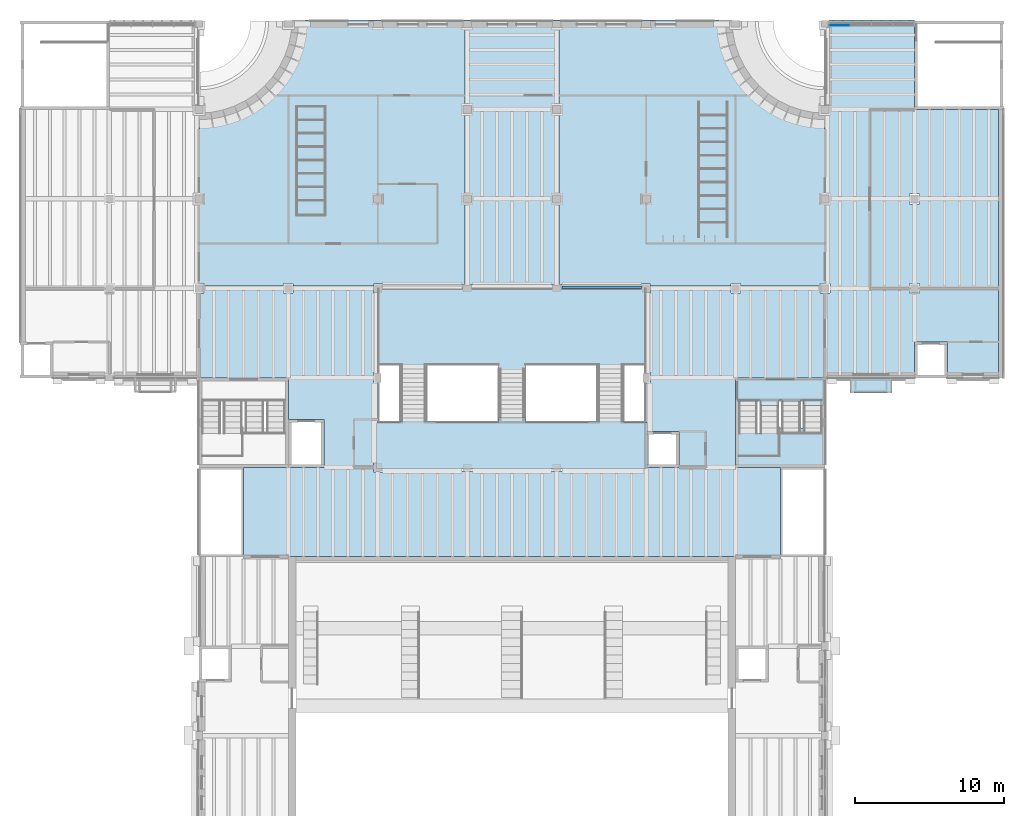
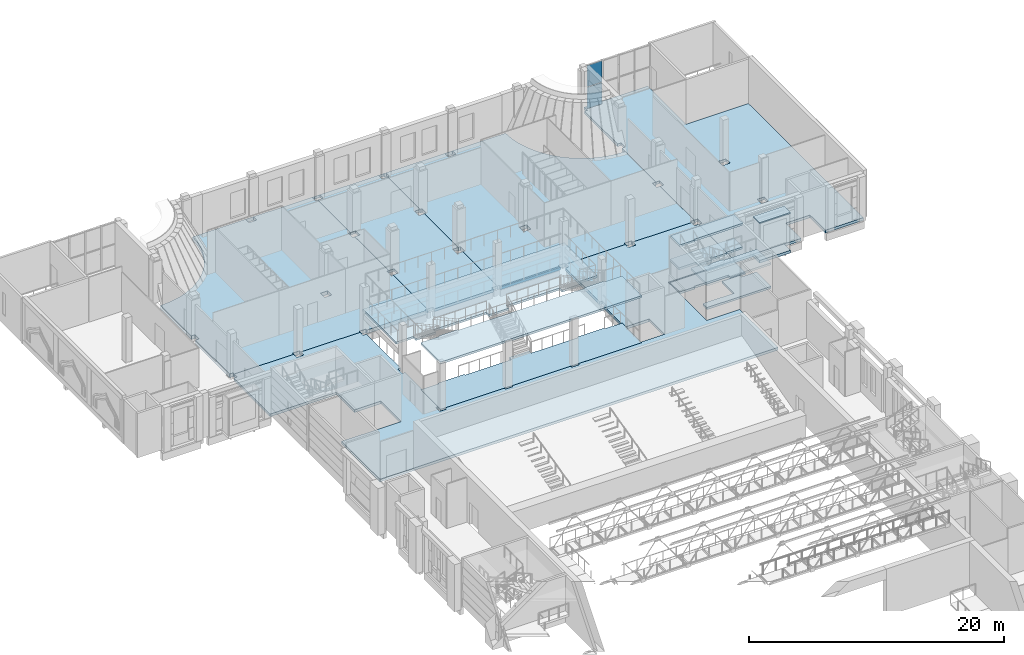
# One storey, part 22 of 70: 15 slabs, 3 plates, 3 elements without a shape of their own.
"""IFC4 building model written with IfcOpenShell, lengths in metres."""

import ifcopenshell
import ifcopenshell.guid

model = None  # the IFC model being written
_history = None  # IfcOwnerHistory: only IFC2X3 demands one
_inside = {}  # id of a spatial element -> (the spatial element, [elements in it])
_under = {}  # id of a project, library or spatial element -> (it, [spatial elements below it])
_declared = {}  # id of a project -> (the project, [libraries it declares])
_typed = {}  # id of a type object -> (the type object, [elements of that type])
_made_of = {}  # id of a material, layer set ... -> (it, [elements and type objects made of it])


def new_model(schema):
    """Start an empty IFC model of exactly this schema.

    Asked for "IFC4X3", IfcOpenShell would pick the latest addendum, in which some entities
    have other attributes; the version numbers below select the first issue.
    IFC2X3 requires an IfcOwnerHistory on every rooted entity: one is made here for all.
    """
    global model, _history
    if schema == "IFC4X3":
        model = ifcopenshell.file(schema_version=(4, 3, 0, 0))
    else:
        model = ifcopenshell.file(schema=schema)
    _inside.clear()
    _under.clear()
    _declared.clear()
    _typed.clear()
    _made_of.clear()
    _history = None
    if model.schema == "IFC2X3":
        org = make("IfcOrganization", Name="unknown")
        user = make(
            "IfcPersonAndOrganization",
            ThePerson=make("IfcPerson", FamilyName="unknown"),
            TheOrganization=org,
        )
        app = make(
            "IfcApplication",
            ApplicationDeveloper=org,
            Version="unknown",
            ApplicationFullName="unknown",
            ApplicationIdentifier="unknown",
        )
        _history = make(
            "IfcOwnerHistory",
            OwningUser=user,
            OwningApplication=app,
            ChangeAction="ADDED",
            CreationDate=0,
        )
    return model


def make(cls, **values):
    """One entity of the class cls with the attributes given. An attribute that is None is left unset."""
    return model.create_entity(
        cls, **{name: value for name, value in values.items() if value is not None}
    )


def rooted(cls, **values):
    """An entity with a GlobalId (a new one), such as an element, a storey or a relation."""
    return make(cls, GlobalId=ifcopenshell.guid.new(), OwnerHistory=_history, **values)


def si_unit(unit_type, name, prefix=None):
    """IfcSIUnit, for example si_unit("LENGTHUNIT", "METRE", prefix="MILLI")."""
    return make("IfcSIUnit", UnitType=unit_type, Prefix=prefix, Name=name)


def assignment(units):
    """IfcUnitAssignment: the units of a project."""
    return None if units is None else make("IfcUnitAssignment", Units=units)


def point(xyz):
    """IfcCartesianPoint."""
    return None if xyz is None else make("IfcCartesianPoint", Coordinates=xyz)


def direction(xyz):
    """IfcDirection."""
    return None if xyz is None else make("IfcDirection", DirectionRatios=xyz)


def frame(location, z_axis=None, x_axis=None):
    """IfcAxis2Placement3D, a coordinate frame: its origin and axes. An axis left out is left unset."""
    return make(
        "IfcAxis2Placement3D",
        Location=point(location),
        Axis=direction(z_axis),
        RefDirection=direction(x_axis),
    )


def frame_2d(location, x_axis=None):
    """IfcAxis2Placement2D, a coordinate frame in the plane: its origin and x axis."""
    return make(
        "IfcAxis2Placement2D", Location=point(location), RefDirection=direction(x_axis)
    )


def origin():
    """The frame at (0, 0, 0) with its axes left unset."""
    return frame((0.0, 0.0, 0.0))


def origin_2d():
    """The frame at (0, 0) in the plane with its x axis left unset."""
    return frame_2d((0.0, 0.0))


def place(relative_to, where):
    """IfcLocalPlacement: puts the frame where relative to a parent placement (None: the world)."""
    return make(
        "IfcLocalPlacement", PlacementRelTo=relative_to, RelativePlacement=where
    )


def context(
    kind, dimensions, precision=None, world=None, true_north=None, identifier=None
):
    """IfcGeometricRepresentationContext, for example the 3D "Model" context."""
    return make(
        "IfcGeometricRepresentationContext",
        ContextIdentifier=identifier,
        ContextType=kind,
        CoordinateSpaceDimension=dimensions,
        Precision=precision,
        WorldCoordinateSystem=world,
        TrueNorth=true_north,
    )


def subcontext(parent, identifier, kind, view, scale=None):
    """IfcGeometricRepresentationSubContext, for example "Body" below "Model"."""
    return make(
        "IfcGeometricRepresentationSubContext",
        ContextIdentifier=identifier,
        ContextType=kind,
        ParentContext=parent,
        TargetScale=scale,
        TargetView=view,
    )


def project(units=None, contexts=None):
    """IfcProject with its units and contexts."""
    return rooted(
        "IfcProject",
        Name="project",
        RepresentationContexts=contexts,
        UnitsInContext=assignment(units),
    )


def spatial(cls, under=None, at=None, **own):
    """A site, building, storey or space (cls), placed at a placement, below another one or the project."""
    s = rooted(cls, ObjectPlacement=at, **own)
    if under is not None:
        _under.setdefault(under.id(), (under, []))[1].append(s)
    return s


def polyline(points):
    """IfcPolyline through the points."""
    return make("IfcPolyline", Points=[point(p) for p in points])


def profile(cls, at=None, kind="AREA", **sizes):
    """A parametric profile (cls). Its sizes go by their IFC names, for example OverallWidth=200.0."""
    return make(cls, ProfileType=kind, Position=at, **sizes)


def rectangle(**sizes):
    """IfcRectangleProfileDef."""
    return profile("IfcRectangleProfileDef", **sizes)


def outline(outer, holes=None, kind="AREA"):
    """IfcArbitraryClosedProfileDef: a profile drawn as a closed curve; with holes, ...WithVoids."""
    if holes is None:
        return make("IfcArbitraryClosedProfileDef", ProfileType=kind, OuterCurve=outer)
    return make(
        "IfcArbitraryProfileDefWithVoids",
        ProfileType=kind,
        OuterCurve=outer,
        InnerCurves=holes,
    )


def extrude(swept, where, along, depth):
    """IfcExtrudedAreaSolid: the profile swept, set in the frame where, extruded along a direction by depth."""
    return make(
        "IfcExtrudedAreaSolid",
        SweptArea=swept,
        Position=where,
        ExtrudedDirection=direction(along),
        Depth=depth,
    )


def shape(context_of_items, identifier, shape_type, items):
    """IfcShapeRepresentation: the items that make up one representation, for example the "Body"."""
    return make(
        "IfcShapeRepresentation",
        ContextOfItems=context_of_items,
        RepresentationIdentifier=identifier,
        RepresentationType=shape_type,
        Items=items,
    )


def material(Name=None, Category=None):
    """IfcMaterial."""
    return make("IfcMaterial", Name=Name, Category=Category)


def layer(
    of_material, thickness, ventilated=None, Name=None, Category=None, Priority=None
):
    """IfcMaterialLayer: one layer of a wall or slab, of a material (None: an air gap)."""
    return make(
        "IfcMaterialLayer",
        Material=of_material,
        LayerThickness=thickness,
        IsVentilated=ventilated,
        Name=Name,
        Category=Category,
        Priority=Priority,
    )


def layer_set(layers, Name=None):
    """IfcMaterialLayerSet."""
    return make("IfcMaterialLayerSet", MaterialLayers=layers, LayerSetName=Name)


def made_of(thing, what):
    """Note that an element or type object is made of a material, layer set ...; save() writes the relation."""
    if what is not None:
        _made_of.setdefault(what.id(), (what, []))[1].append(thing)
    return thing


def type_object(cls, material=None, **own):
    """A type object (cls), such as IfcWallType, which elements share."""
    return made_of(rooted(cls, **own), material)


def element(
    cls,
    number,
    at=None,
    inside=None,
    cuts=None,
    type_object=None,
    material=None,
    context=None,
    identifier="Body",
    shape_type=None,
    held_by="IfcProductDefinitionShape",
    body=None,
    shapes=None,
    **own,
):
    """One element of the class cls, such as IfcWall. Its Tag is "e" and its number.

    at: its placement. inside: the storey or other place that contains it. cuts: it is an
    opening in that element (IfcRelVoidsElement). A single representation is given by context,
    identifier, shape_type and body (its items); several are given by shapes. held_by: the class
    of the entity that holds the representations. save() writes the other relations.
    """
    e = rooted(cls, Tag="e%d" % number, ObjectPlacement=at, **own)
    if body is not None:
        shapes = [shape(context, identifier, shape_type, body)]
    if shapes is not None:
        e.Representation = make(held_by, Representations=shapes)
    if inside is not None:
        _inside.setdefault(inside.id(), (inside, []))[1].append(e)
    if cuts is not None:
        rooted(
            "IfcRelVoidsElement", RelatingBuildingElement=cuts, RelatedOpeningElement=e
        )
    if type_object is not None:
        _typed.setdefault(type_object.id(), (type_object, []))[1].append(e)
    return made_of(e, material)


def aggregate(whole, parts):
    """IfcRelAggregates: a whole, such as a stair, and the parts it consists of."""
    return rooted("IfcRelAggregates", RelatingObject=whole, RelatedObjects=parts)


def save(model, path):
    """Write the relations noted so far, then the file.

    IfcRelAggregates (storeys below a building ...), IfcRelContainedInSpatialStructure (elements
    in a storey), IfcRelDefinesByType, IfcRelAssociatesMaterial and IfcRelDeclares: one each for
    every whole, place, type object, material and project.
    """
    for whole, parts in _under.values():
        aggregate(whole, parts)
    for where, things in _inside.values():
        rooted(
            "IfcRelContainedInSpatialStructure",
            RelatedElements=things,
            RelatingStructure=where,
        )
    for kind, things in _typed.values():
        rooted("IfcRelDefinesByType", RelatedObjects=things, RelatingType=kind)
    for what, things in _made_of.values():
        rooted("IfcRelAssociatesMaterial", RelatedObjects=things, RelatingMaterial=what)
    for by, libraries in _declared.values():
        rooted("IfcRelDeclares", RelatingContext=by, RelatedDefinitions=libraries)
    model.write(path)


model = new_model("IFC4")

# Units and contexts
model_context = context("Model", 3, precision=1e-05, world=origin(), true_north=direction((0.0, 1.0)))
body_context = subcontext(model_context, "Body", "Model", "MODEL_VIEW")
ifc_project = project(units=[si_unit("LENGTHUNIT", "METRE"), si_unit("AREAUNIT", "SQUARE_METRE"), si_unit("VOLUMEUNIT", "CUBIC_METRE"), si_unit("PLANEANGLEUNIT", "RADIAN"), si_unit("MASSUNIT", "GRAM", prefix="KILO")], contexts=[model_context])

# Site, building, storey
site_placement = place(None, origin())
site = spatial("IfcSite", under=ifc_project, at=site_placement, CompositionType="ELEMENT")
building_placement = place(site_placement, origin())
building = spatial("IfcBuilding", under=site, at=building_placement, Name="Saffron Lane Theatres", CompositionType="ELEMENT")
storey_placement = place(building_placement, frame((0.0, 0.0, 12.0)))
storey = spatial("IfcBuildingStorey", under=building, at=storey_placement, Name="L02", CompositionType="ELEMENT", Elevation=12.0)

# Plate
ifc_material_1 = material(Name="Zinc sheet", Category="metal")
ifc_layer_1 = layer(ifc_material_1, 0.1201171875)
ifc_layer_set_1 = layer_set([ifc_layer_1], Name="Zinc sheet")
plate_type_1 = type_object("IfcPlateType", Name="EX-CUMBA ROOF PANEL 120", PredefinedType="SHEET", material=ifc_layer_set_1)
plate_1_placement = place(storey_placement, frame((0.0, 0.0, 3.5)))
element("IfcPlate", 1, at=plate_1_placement, inside=storey, type_object=plate_type_1, Name="Cumba bay 4 roof", PredefinedType="SHEET", context=body_context, shape_type="SweptSolid", body=[
    extrude(outline(polyline([(58.47509765625, 102.0), (55.675048828125, 102.0), (55.675048828125, 101.0), (58.47509765625, 101.0), (58.47509765625, 102.0)])), origin(), (0.0, 0.0, 1.0), 0.1201171875),
])

# Slab
ifc_material_2 = material(Name="Concrete N40 (40 MPa)", Category="concrete")
ifc_layer_2 = layer(ifc_material_2, 0.25)
ifc_layer_set_2 = layer_set([ifc_layer_2], Name="Concrete N40 (40 MPa)")
slab_type_1 = type_object("IfcSlabType", Name="EX-CUMBA SLAB 250", PredefinedType="FLOOR", material=ifc_layer_set_2)
slab_1_placement = place(storey_placement, frame((0.0, 0.0, -0.25)))
element("IfcSlab", 2, at=slab_1_placement, inside=storey, type_object=slab_type_1, Name="Cumba bay 4 floor", PredefinedType="FLOOR", context=body_context, shape_type="SweptSolid", body=[
    extrude(outline(polyline([(58.47509765625, 102.0), (55.675048828125, 102.0), (55.675048828125, 101.0), (58.47509765625, 101.0), (58.47509765625, 102.0)])), origin(), (0.0, 0.0, 1.0), 0.25),
])

# Curtain wall, plates
ifc_material_3 = material(Name="Aluminium", Category="aluminium")
curtain_wall_type = type_object("IfcCurtainWallType", Name="EX-CURTAIN WALL 5770x4250x160", PredefinedType="NOTDEFINED", material=ifc_material_3)
curtain_wall_placement = place(storey_placement, origin())
curtain_wall = element("IfcCurtainWall", 3, at=curtain_wall_placement, inside=storey, type_object=curtain_wall_type, Name="Curtain wall L02 03", PredefinedType="NOTDEFINED")
ifc_material_4 = material(Name="Glass", Category="glass")
ifc_layer_3 = layer(ifc_material_4, 0.028076171875)
ifc_layer_set_3 = layer_set([ifc_layer_3], Name="Glass")
plate_type_2 = type_object("IfcPlateType", Name="EX-CW PANEL GLAZING 28", PredefinedType="CURTAIN_PANEL", material=ifc_layer_set_3)
plate_2_placement = place(storey_placement, frame((54.9619140625, 125.6298828125, 0.06005859375), z_axis=(0.0, 0.0, 1.0), x_axis=(1.0, 0.0, 0.0)))
plate_2 = element("IfcPlate", 4, at=plate_2_placement, type_object=plate_type_2, Name="CW-02-03 panel 1.1", PredefinedType="CURTAIN_PANEL", context=body_context, shape_type="SweptSolid", body=[
    extrude(rectangle(XDim=1.353759765625, YDim=0.028076171875, at=origin_2d()), origin(), (0.0, 0.0, 1.0), 2.034912109375),
])
plate_3_placement = place(storey_placement, frame((54.9619140625, 125.6298828125, 2.1552734375), z_axis=(0.0, 0.0, 1.0), x_axis=(1.0, 0.0, 0.0)))
plate_3 = element("IfcPlate", 5, at=plate_3_placement, type_object=plate_type_2, Name="CW-02-03 panel 1.2", PredefinedType="CURTAIN_PANEL", context=body_context, shape_type="SweptSolid", body=[
    extrude(rectangle(XDim=1.353759765625, YDim=0.028076171875, at=origin_2d()), origin(), (0.0, 0.0, 1.0), 2.034912109375),
])
aggregate(curtain_wall, [plate_2, plate_3])

# Slabs
ifc_material_5 = material(Name="Concrete N40 (40 MPa)", Category="concrete")
ifc_layer_4 = layer(ifc_material_5, 0.25)
ifc_layer_set_4 = layer_set([ifc_layer_4], Name="Concrete N40 (40 MPa)")
slab_type_2 = type_object("IfcSlabType", Name="RC-SLAB FLOOR 250", PredefinedType="FLOOR", material=ifc_layer_set_4)
slab_2_placement = place(storey_placement, frame((0.0, 0.0, -0.25)))
element("IfcSlab", 6, at=slab_2_placement, inside=storey, type_object=slab_type_2, Name="slab-L02-BRICK-1", PredefinedType="FLOOR", context=body_context, shape_type="SweptSolid", body=[
    extrude(outline(polyline([(18.5, 90.0), (47.5, 90.0), (48.0, 90.0), (51.0, 90.0), (51.0, 96.0), (48.0, 96.0), (48.0, 102.0), (54.0, 102.0), (54.0, 107.673095703125), (53.673095703125, 107.673095703125), (53.673095703125, 108.14990234375), (48.326904296875, 108.14990234375), (48.326904296875, 107.673095703125), (47.673095703125, 107.673095703125), (47.673095703125, 108.14990234375), (42.302001953125, 108.14990234375), (42.302001953125, 107.697998046875), (42.0, 107.697998046875), (42.0, 102.35205078125), (42.251953125, 102.35205078125), (42.251953125, 101.64794921875), (42.0, 101.64794921875), (42.0, 98.39990234375), (44.199951171875, 98.39990234375), (44.199951171875, 96.0), (42.0, 96.0), (36.35205078125, 96.0), (36.35205078125, 95.748046875), (35.64794921875, 95.748046875), (35.64794921875, 96.0), (30.35205078125, 96.0), (30.35205078125, 95.748046875), (29.64794921875, 95.748046875), (29.64794921875, 96.0), (24.302001953125, 96.0), (24.302001953125, 95.697998046875), (23.697998046875, 95.697998046875), (23.697998046875, 96.302001953125), (24.0, 96.302001953125), (24.0, 101.64794921875), (23.748046875, 101.64794921875), (23.748046875, 102.35205078125), (24.0, 102.35205078125), (24.0, 107.697998046875), (23.697998046875, 107.697998046875), (23.697998046875, 108.14990234375), (18.326904296875, 108.14990234375), (18.326904296875, 107.673095703125), (17.673095703125, 107.673095703125), (17.673095703125, 108.14990234375), (12.326904296875, 108.14990234375), (12.326904296875, 107.673095703125), (12.0, 107.673095703125), (12.0, 102.0), (18.0, 102.0), (18.0, 99.199951171875), (20.39990234375, 99.199951171875), (20.39990234375, 96.0), (18.0, 96.0), (15.0, 96.0), (15.0, 90.0), (18.0, 90.0), (18.5, 90.0)])), origin(), (0.0, 0.0, 1.0), 0.25),
])
slab_3_placement = place(storey_placement, frame((0.0, 0.0, -0.25)))
element("IfcSlab", 7, at=slab_3_placement, inside=storey, type_object=slab_type_2, Name="slab-L02-BRICK-3", PredefinedType="FLOOR", context=body_context, shape_type="SweptSolid", body=[
    extrude(outline(polyline([(36.14990234375, 125.9765625), (36.14990234375, 125.99951171875), (29.85009765625, 125.99951171875), (29.85009765625, 125.9765625), (30.35205078125, 125.9765625), (30.35205078125, 125.472412109375), (29.85009765625, 125.472412109375), (29.85009765625, 120.326904296875), (30.326904296875, 120.326904296875), (30.326904296875, 119.673095703125), (29.85009765625, 119.673095703125), (29.85009765625, 114.326904296875), (30.326904296875, 114.326904296875), (30.326904296875, 113.673095703125), (29.85009765625, 113.673095703125), (29.85009765625, 108.251953125), (30.35205078125, 108.251953125), (30.35205078125, 108.0), (35.64794921875, 108.0), (35.64794921875, 108.251953125), (36.14990234375, 108.251953125), (36.14990234375, 113.673095703125), (35.673095703125, 113.673095703125), (35.673095703125, 114.326904296875), (36.14990234375, 114.326904296875), (36.14990234375, 119.673095703125), (35.673095703125, 119.673095703125), (35.673095703125, 120.326904296875), (36.14990234375, 120.326904296875), (36.14990234375, 125.472412109375), (35.64794921875, 125.472412109375), (35.64794921875, 125.9765625), (36.14990234375, 125.9765625)])), origin(), (0.0, 0.0, 1.0), 0.25),
])
slab_4_placement = place(storey_placement, frame((0.0, 0.0, -0.25)))
element("IfcSlab", 8, at=slab_4_placement, inside=storey, type_object=slab_type_2, Name="slab-L02-BRICK-4", PredefinedType="FLOOR", context=body_context, shape_type="SweptSolid", body=[
    extrude(outline(polyline([(36.35205078125, 108.0), (41.697998046875, 108.0), (41.697998046875, 108.14990234375), (36.35205078125, 108.14990234375), (36.35205078125, 108.0)])), origin(), (0.0, 0.0, 1.0), 0.25),
])
slab_5_placement = place(storey_placement, frame((0.0, 0.0, -0.25)))
element("IfcSlab", 9, at=slab_5_placement, inside=storey, type_object=slab_type_2, Name="slab-L02-WING_E", PredefinedType="FLOOR", context=body_context, shape_type="SweptSolid", body=[
    extrude(outline(polyline([(60.0, 120.0), (60.0, 125.99951171875), (54.251953125, 125.99951171875), (54.251953125, 125.49755859375), (54.0, 125.49755859375), (54.0, 120.326904296875), (54.326904296875, 120.326904296875), (54.326904296875, 119.673095703125), (54.0, 119.673095703125), (54.0, 119.142578125), (54.0, 114.326904296875), (54.326904296875, 114.326904296875), (54.326904296875, 113.673095703125), (54.0, 113.673095703125), (54.0, 108.326904296875), (54.326904296875, 108.326904296875), (54.326904296875, 107.673095703125), (54.0, 107.673095703125), (54.0, 102.0), (60.0, 102.0), (60.0, 104.39990234375), (62.199951171875, 104.39990234375), (62.199951171875, 102.0), (65.639892578125, 102.0), (65.639892578125, 120.0), (60.0, 120.0)]), holes=[polyline([(60.326904296875, 107.673095703125), (59.673095703125, 107.673095703125), (59.673095703125, 108.326904296875), (60.326904296875, 108.326904296875), (60.326904296875, 107.673095703125)]), polyline([(60.326904296875, 113.673095703125), (59.673095703125, 113.673095703125), (59.673095703125, 114.326904296875), (60.326904296875, 114.326904296875), (60.326904296875, 113.673095703125)])]), origin(), (0.0, 0.0, 1.0), 0.25),
])
ifc_material_6 = material(Name="Concrete N40 (40 MPa)", Category="concrete")
ifc_layer_5 = layer(ifc_material_6, 0.35009765625)
ifc_layer_set_5 = layer_set([ifc_layer_5], Name="Concrete N40 (40 MPa)")
slab_type_3 = type_object("IfcSlabType", Name="RC-SLAB FLOOR 350", PredefinedType="FLOOR", material=ifc_layer_set_5)
slab_6_placement = place(storey_placement, frame((0.0, 0.0, -0.35009765625)))
element("IfcSlab", 10, at=slab_6_placement, inside=storey, type_object=slab_type_3, Name="slab-L02-BRICK-front-1", PredefinedType="FLOOR", context=body_context, shape_type="SweptSolid", body=[
    extrude(outline(polyline([(12.0, 108.326904296875), (12.326904296875, 108.326904296875), (12.326904296875, 108.14990234375), (17.673095703125, 108.14990234375), (17.673095703125, 108.326904296875), (18.326904296875, 108.326904296875), (18.326904296875, 108.14990234375), (23.697998046875, 108.14990234375), (23.697998046875, 108.302001953125), (24.302001953125, 108.302001953125), (24.302001953125, 108.14990234375), (29.64794921875, 108.14990234375), (29.64794921875, 108.251953125), (29.85009765625, 108.251953125), (29.85009765625, 113.673095703125), (29.673095703125, 113.673095703125), (29.673095703125, 114.326904296875), (29.85009765625, 114.326904296875), (29.85009765625, 119.673095703125), (29.673095703125, 119.673095703125), (29.673095703125, 120.326904296875), (29.85009765625, 120.326904296875), (29.85009765625, 125.472412109375), (29.64794921875, 125.472412109375), (29.64794921875, 125.9765625), (29.85009765625, 125.9765625), (29.85009765625, 125.99951171875), (18.85693359375, 125.99951171875), (18.798095703125, 125.1044921875), (18.623291015625, 124.224853515625), (18.3349609375, 123.37548828125), (17.938232421875, 122.571044921875), (17.43994140625, 121.8251953125), (16.848388671875, 121.15087890625), (16.17431640625, 120.5595703125), (15.428466796875, 120.061279296875), (14.6240234375, 119.66455078125), (13.774658203125, 119.376220703125), (12.89501953125, 119.201416015625), (12.0, 119.142578125), (12.0, 114.326904296875), (12.326904296875, 114.326904296875), (12.326904296875, 113.673095703125), (12.0, 113.673095703125), (12.0, 108.326904296875)]), holes=[polyline([(24.35205078125, 125.472412109375), (23.64794921875, 125.472412109375), (23.64794921875, 125.9765625), (24.35205078125, 125.9765625), (24.35205078125, 125.472412109375)]), polyline([(24.326904296875, 113.673095703125), (23.673095703125, 113.673095703125), (23.673095703125, 114.326904296875), (24.326904296875, 114.326904296875), (24.326904296875, 113.673095703125)])]), origin(), (0.0, 0.0, 1.0), 0.35009765625),
])
slab_7_placement = place(storey_placement, frame((0.0, 0.0, -0.35009765625)))
element("IfcSlab", 11, at=slab_7_placement, inside=storey, type_object=slab_type_3, Name="slab-L02-BRICK-front-2", PredefinedType="FLOOR", context=body_context, shape_type="SweptSolid", body=[
    extrude(outline(polyline([(47.201904296875, 125.1044921875), (47.14306640625, 125.99951171875), (36.14990234375, 125.99951171875), (36.14990234375, 125.9765625), (36.35205078125, 125.9765625), (36.35205078125, 125.472412109375), (36.14990234375, 125.472412109375), (36.14990234375, 120.326904296875), (36.326904296875, 120.326904296875), (36.326904296875, 119.673095703125), (36.14990234375, 119.673095703125), (36.14990234375, 114.326904296875), (36.326904296875, 114.326904296875), (36.326904296875, 113.673095703125), (36.14990234375, 113.673095703125), (36.14990234375, 108.251953125), (36.35205078125, 108.251953125), (36.35205078125, 108.14990234375), (41.697998046875, 108.14990234375), (41.697998046875, 108.302001953125), (42.302001953125, 108.302001953125), (42.302001953125, 108.14990234375), (47.673095703125, 108.14990234375), (47.673095703125, 108.326904296875), (48.326904296875, 108.326904296875), (48.326904296875, 108.14990234375), (53.673095703125, 108.14990234375), (53.673095703125, 108.326904296875), (54.0, 108.326904296875), (54.0, 113.673095703125), (53.673095703125, 113.673095703125), (53.673095703125, 114.326904296875), (54.0, 114.326904296875), (54.0, 119.142578125), (53.10498046875, 119.201416015625), (52.225341796875, 119.376220703125), (51.3759765625, 119.66455078125), (50.571533203125, 120.061279296875), (49.82568359375, 120.5595703125), (49.151611328125, 121.15087890625), (48.56005859375, 121.8251953125), (48.061767578125, 122.571044921875), (47.6650390625, 123.37548828125), (47.376708984375, 124.224853515625), (47.201904296875, 125.1044921875)]), holes=[polyline([(42.35205078125, 125.9765625), (42.35205078125, 125.472412109375), (41.64794921875, 125.472412109375), (41.64794921875, 125.9765625), (42.35205078125, 125.9765625)]), polyline([(42.326904296875, 113.673095703125), (41.673095703125, 113.673095703125), (41.673095703125, 114.326904296875), (42.326904296875, 114.326904296875), (42.326904296875, 113.673095703125)])]), origin(), (0.0, 0.0, 1.0), 0.35009765625),
])

# Stair, slabs
ifc_material_7 = material(Name="Concrete N40 (40 MPa)", Category="concrete")
stair_type_1 = type_object("IfcStairType", Name="VC-STAIR EXIT", PredefinedType="TWO_STRAIGHT_RUN_STAIR", material=ifc_material_7)
stair_1_placement = place(storey_placement, origin())
stair_1 = element("IfcStair", 12, at=stair_1_placement, inside=storey, type_object=stair_type_1, Name="Brick Block East Stair L02 to L03", PredefinedType="TWO_STRAIGHT_RUN_STAIR")
ifc_material_8 = material(Name="Concrete N40 (40 MPa)", Category="concrete")
ifc_layer_6 = layer(ifc_material_8, 0.199951171875)
ifc_layer_set_6 = layer_set([ifc_layer_6], Name="Concrete N40 (40 MPa)")
slab_type_4 = type_object("IfcSlabType", Name="VC-LANDING 200", PredefinedType="LANDING", material=ifc_layer_set_6)
slab_8_placement = place(storey_placement, frame((0.0, 0.0, -0.199951171875)))
slab_8 = element("IfcSlab", 13, at=slab_8_placement, type_object=slab_type_4, Name="ST6 landing 1", PredefinedType="LANDING", context=body_context, shape_type="SweptSolid", body=[
    extrude(outline(polyline([(48.10009765625, 101.89990234375), (53.89990234375, 101.89990234375), (53.89990234375, 100.14990234375), (52.550048828125, 100.14990234375), (52.550048828125, 100.5), (49.449951171875, 100.5), (49.449951171875, 100.39990234375), (48.10009765625, 100.39990234375), (48.10009765625, 100.5), (48.10009765625, 100.5), (48.10009765625, 101.89990234375)])), origin(), (0.0, 0.0, 1.0), 0.199951171875),
])
slab_9_placement = place(storey_placement, frame((0.0, 0.0, 0.925048828125)))
slab_9 = element("IfcSlab", 14, at=slab_9_placement, type_object=slab_type_4, Name="ST6 landing 2", PredefinedType="LANDING", context=body_context, shape_type="SweptSolid", body=[
    extrude(outline(polyline([(50.89990234375, 98.6298828125), (52.550048828125, 98.6298828125), (52.550048828125, 98.3798828125), (53.89990234375, 98.3798828125), (53.89990234375, 96.10009765625), (48.10009765625, 96.10009765625), (48.10009765625, 96.75), (50.89990234375, 96.75), (50.89990234375, 98.6298828125)])), origin(), (0.0, 0.0, 1.0), 0.199951171875),
])
slab_10_placement = place(storey_placement, frame((0.0, 0.0, 2.050048828125)))
slab_10 = element("IfcSlab", 15, at=slab_10_placement, type_object=slab_type_4, Name="ST6 landing 3", PredefinedType="LANDING", context=body_context, shape_type="SweptSolid", body=[
    extrude(outline(polyline([(48.10009765625, 100.5), (48.10009765625, 101.89990234375), (53.89990234375, 101.89990234375), (53.89990234375, 100.5), (52.35009765625, 100.5), (52.35009765625, 100.39990234375), (51.10009765625, 100.39990234375), (51.10009765625, 100.5), (50.89990234375, 100.5), (50.89990234375, 100.14990234375), (49.64990234375, 100.14990234375), (49.64990234375, 100.5), (48.10009765625, 100.5)])), origin(), (0.0, 0.0, 1.0), 0.199951171875),
])
slab_11_placement = place(storey_placement, frame((0.0, 0.0, 3.175048828125)))
slab_11 = element("IfcSlab", 16, at=slab_11_placement, type_object=slab_type_4, Name="ST6 landing 4", PredefinedType="LANDING", context=body_context, shape_type="SweptSolid", body=[
    extrude(outline(polyline([(49.449951171875, 98.280029296875), (49.64990234375, 98.280029296875), (49.64990234375, 98.3798828125), (50.89990234375, 98.3798828125), (50.89990234375, 98.280029296875), (53.89990234375, 98.280029296875), (53.89990234375, 96.10009765625), (48.10009765625, 96.10009765625), (48.10009765625, 98.6298828125), (49.449951171875, 98.6298828125), (49.449951171875, 98.280029296875)])), origin(), (0.0, 0.0, 1.0), 0.199951171875),
])
slab_12_placement = place(storey_placement, frame((0.0, 0.0, 4.300048828125)))
slab_12 = element("IfcSlab", 17, at=slab_12_placement, type_object=slab_type_4, Name="ST6 landing 5", PredefinedType="LANDING", context=body_context, shape_type="SweptSolid", body=[
    extrude(outline(polyline([(48.10009765625, 101.89990234375), (53.89990234375, 101.89990234375), (53.89990234375, 100.5), (49.449951171875, 100.5), (49.449951171875, 100.39990234375), (48.10009765625, 100.39990234375), (48.10009765625, 100.5), (48.10009765625, 100.5), (48.10009765625, 101.89990234375)])), origin(), (0.0, 0.0, 1.0), 0.199951171875),
])
aggregate(stair_1, [slab_8, slab_9, slab_10, slab_11, slab_12])

ifc_material_9 = material(Name="Concrete N40 (40 MPa)", Category="concrete")
stair_type_2 = type_object("IfcStairType", Name="VC-STAIR GRAND", PredefinedType="DOUBLE_RETURN_STAIR", material=ifc_material_9)
stair_2_placement = place(storey_placement, origin())
stair_2 = element("IfcStair", 18, at=stair_2_placement, inside=storey, type_object=stair_type_2, Name="Grand Stair L02 to L03", PredefinedType="DOUBLE_RETURN_STAIR")
slab_13_placement = place(storey_placement, frame((0.0, 0.0, -0.199951171875)))
slab_13 = element("IfcSlab", 19, at=slab_13_placement, type_object=slab_type_4, Name="ST39 landing 1", PredefinedType="LANDING", context=body_context, shape_type="SweptSolid", body=[
    extrude(outline(polyline([(42.10009765625, 95.89990234375), (23.89990234375, 95.89990234375), (23.89990234375, 99.0), (25.5, 99.0), (25.5, 99.10009765625), (27.89990234375, 99.10009765625), (27.89990234375, 99.0), (32.10009765625, 99.0), (32.10009765625, 99.35009765625), (33.89990234375, 99.35009765625), (33.89990234375, 99.0), (38.10009765625, 99.0), (38.10009765625, 99.10009765625), (40.5, 99.10009765625), (40.5, 99.0), (42.10009765625, 99.0), (42.10009765625, 95.89990234375)])), origin(), (0.0, 0.0, 1.0), 0.199951171875),
])
slab_14_placement = place(storey_placement, frame((0.0, 0.0, 1.966552734375)))
slab_14 = element("IfcSlab", 20, at=slab_14_placement, type_object=slab_type_4, Name="ST39 landing 2", PredefinedType="LANDING", context=body_context, shape_type="SweptSolid", body=[
    extrude(outline(polyline([(32.10009765625, 102.5), (32.10009765625, 102.89990234375), (27.300048828125, 102.89990234375), (27.300048828125, 102.550048828125), (25.5, 102.550048828125), (25.5, 102.89990234375), (23.89990234375, 102.89990234375), (23.89990234375, 108.10009765625), (42.10009765625, 108.10009765625), (42.10009765625, 102.89990234375), (40.5, 102.89990234375), (40.5, 102.550048828125), (38.699951171875, 102.550048828125), (38.699951171875, 102.89990234375), (33.89990234375, 102.89990234375), (33.89990234375, 102.5), (32.10009765625, 102.5)])), origin(), (0.0, 0.0, 1.0), 0.2001953125),
])
slab_15_placement = place(storey_placement, frame((0.0, 0.0, 4.300048828125)))
slab_15 = element("IfcSlab", 21, at=slab_15_placement, type_object=slab_type_4, Name="ST39 landing 3", PredefinedType="LANDING", context=body_context, shape_type="SweptSolid", body=[
    extrude(outline(polyline([(42.10009765625, 99.0), (42.10009765625, 95.89990234375), (23.89990234375, 95.89990234375), (23.89990234375, 99.0), (25.5, 99.0), (25.5, 99.10009765625), (27.300048828125, 99.10009765625), (27.300048828125, 99.0), (38.699951171875, 99.0), (38.699951171875, 99.10009765625), (40.5, 99.10009765625), (40.5, 99.0), (42.10009765625, 99.0)])), origin(), (0.0, 0.0, 1.0), 0.199951171875),
])
aggregate(stair_2, [slab_13, slab_14, slab_15])

save(model, "model.ifc")
